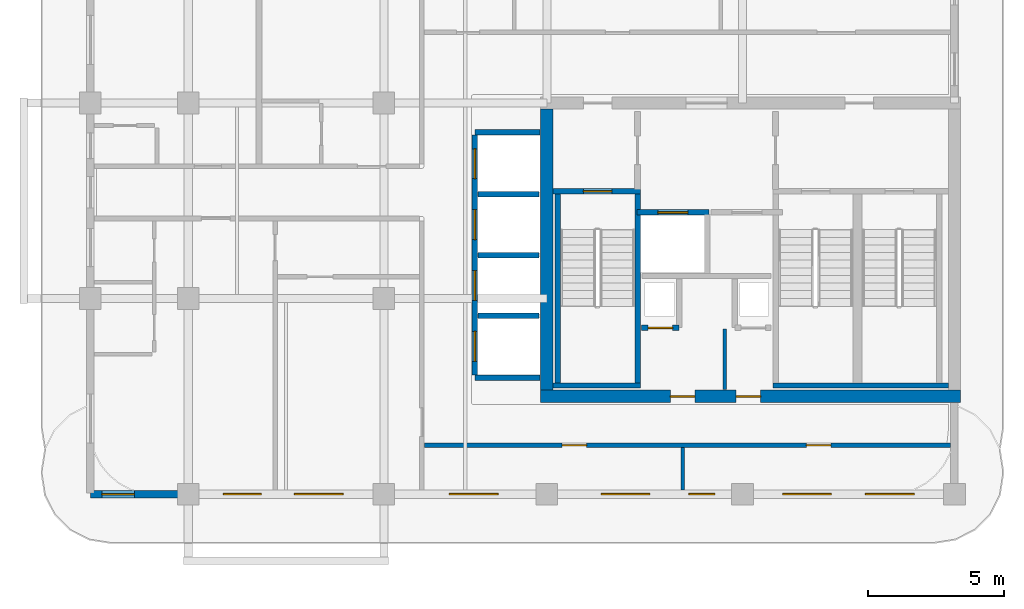
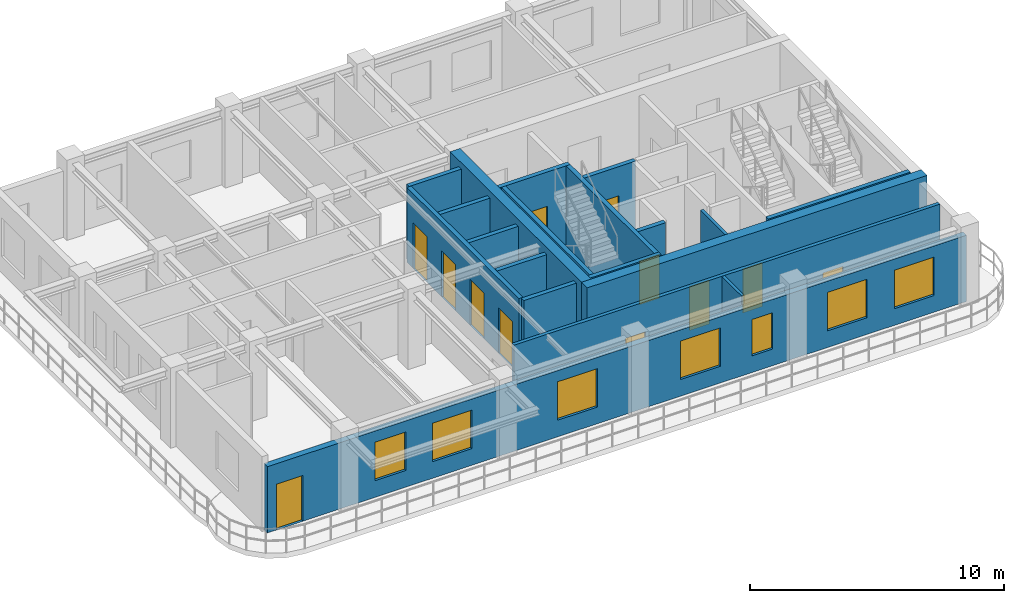
# One storey, part 3 of 7: 19 walls, 12 doors, 7 windows, 19 openings.
"""IFC4 building model written with IfcOpenShell, lengths in metres."""

from ifc_helpers import new_model, si_unit, derived_unit, direction, frame, frame_2d, origin, place, context, subcontext, project, spatial, rectangle, extrude, source, transform, mapped, material, layer, layer_set, type_object, type_shapes, element, fill, save


model = new_model("IFC4")

# Units and contexts
model_context = context("Model", 3, precision=1e-05, world=origin(), true_north=direction((0.0, 1.0)))
body_context = subcontext(model_context, "Body", "Model", "MODEL_VIEW")
ifc_project = project(units=[si_unit("LENGTHUNIT", "METRE"), si_unit("AREAUNIT", "SQUARE_METRE"), si_unit("VOLUMEUNIT", "CUBIC_METRE"), si_unit("PLANEANGLEUNIT", "RADIAN"), si_unit("MASSUNIT", "GRAM", prefix="KILO"), si_unit("THERMODYNAMICTEMPERATUREUNIT", "KELVIN"), si_unit("POWERUNIT", "WATT"), derived_unit("THERMALTRANSMITTANCEUNIT", [(si_unit("POWERUNIT", "WATT"), 1), (si_unit("AREAUNIT", "SQUARE_METRE"), -1), (si_unit("THERMODYNAMICTEMPERATUREUNIT", "KELVIN"), -1)])], contexts=[model_context])

# Site, building, storey
site_placement = place(None, origin())
site = spatial("IfcSite", under=ifc_project, at=site_placement, CompositionType="ELEMENT")
building_placement = place(site_placement, origin())
building = spatial("IfcBuilding", under=site, at=building_placement, Name="Zahravan Archway Hotel and Residences", CompositionType="ELEMENT")
storey_placement = place(building_placement, frame((0.0, 0.0, 259.64990234375)))
storey = spatial("IfcBuildingStorey", under=building, at=storey_placement, Name="L65", CompositionType="ELEMENT", Elevation=259.64990234375)

# Wall, openings, doors
ifc_material_1 = material(Name="Concrete C50/60", Category="concrete")
ifc_layer_1 = layer(ifc_material_1, 0.449951171875, Name="Concrete C50/60", Category="concrete")
ifc_layer_set_1 = layer_set([ifc_layer_1], Name="Concrete C50/60")
wall_type_1 = type_object("IfcWallType", Name="CW-CORE-450", PredefinedType="SHEAR", material=ifc_layer_set_1)
wall_1_placement = place(storey_placement, frame((34.574951171875, 3.60009765625, 0.0), z_axis=(0.0, 0.0, 1.0), x_axis=(1.0, 0.0, 0.0)))
wall_1 = element("IfcWall", 1, at=wall_1_placement, inside=storey, type_object=wall_type_1, Name="L65 Core A Shear S Wall 450 mm", PredefinedType="SHEAR", context=body_context, shape_type="SweptSolid", body=[
    extrude(rectangle(XDim=15.449951171875, YDim=0.449951171875, at=frame_2d((7.72509765625, 0.0))), origin(), (0.0, 0.0, 1.0), 3.85009765625),
])
opening_1_placement = place(wall_1_placement, frame((4.77490234375, 0.0, 0.0)))
opening_1 = element("IfcOpeningElement", 2, at=opening_1_placement, cuts=wall_1, Name="Opening FD-R1", PredefinedType="OPENING", context=body_context, shape_type="SweptSolid", body=[
    extrude(rectangle(XDim=0.89990234375, YDim=2.10009765625, at=frame_2d((0.449951171875, 1.050048828125))), frame((0.0, 0.23486328125, 0.0), z_axis=(0.0, -1.0, 0.0), x_axis=(1.0, 0.0, 0.0)), (0.0, 0.0, 1.0), 0.469970703125),
])
opening_2_placement = place(wall_1_placement, frame((7.195068359375, 0.0, 0.0)))
opening_2 = element("IfcOpeningElement", 3, at=opening_2_placement, cuts=wall_1, Name="Opening FD-R1", PredefinedType="OPENING", context=body_context, shape_type="SweptSolid", body=[
    extrude(rectangle(XDim=0.89990234375, YDim=2.10009765625, at=frame_2d((0.449951171875, 1.050048828125))), frame((0.0, 0.23486328125, 0.0), z_axis=(0.0, -1.0, 0.0), x_axis=(1.0, 0.0, 0.0)), (0.0, 0.0, 1.0), 0.469970703125),
])
ifc_material_2 = material(Name="Fire-Rated Painted Steel", Category="steel")
door_type_1 = type_object("IfcDoorType", Name="FD-RISER-900", OperationType="NOTDEFINED", PredefinedType="DOOR", material=ifc_material_2)
shared_shape_1 = source(origin(), body_context, "Body", "SweptSolid", [
    extrude(rectangle(XDim=0.89990234375, YDim=2.10009765625, at=frame_2d((0.449951171875, 1.050048828125))), frame((0.0, 0.02490234375, 0.0), z_axis=(0.0, -1.0, 0.0), x_axis=(1.0, 0.0, 0.0)), (0.0, 0.0, 1.0), 0.050048828125),
])
type_shapes(door_type_1, [shared_shape_1])
door_1_placement = place(opening_1_placement, origin())
door_1 = element("IfcDoor", 4, at=door_1_placement, inside=storey, type_object=door_type_1, Name="L65 Service Pantry Door", OperationType="SINGLE_SWING_LEFT", OverallHeight=2.10009765625, OverallWidth=0.89990234375, PredefinedType="DOOR", context=body_context, shape_type="MappedRepresentation", body=[
    mapped(shared_shape_1, transform((0.0, 0.0, 0.0), scale=1.0)),
])
fill(opening_1, door_1)
door_2_placement = place(opening_2_placement, origin())
door_2 = element("IfcDoor", 5, at=door_2_placement, inside=storey, type_object=door_type_1, Name="L65 Fibre ELV Riser Door", OperationType="SINGLE_SWING_RIGHT", OverallHeight=2.10009765625, OverallWidth=0.89990234375, PredefinedType="DOOR", context=body_context, shape_type="MappedRepresentation", body=[
    mapped(shared_shape_1, transform((0.0, 0.0, 0.0), scale=1.0)),
])
fill(opening_2, door_2)

# Wall
wall_2_placement = place(storey_placement, frame((34.800048828125, 3.824951171875, 0.0), z_axis=(0.0, 0.0, 1.0), x_axis=(0.0, 1.0, 0.0)))
element("IfcWall", 6, at=wall_2_placement, inside=storey, type_object=wall_type_1, Name="L65 Core A Shear W Wall 450 mm", PredefinedType="SHEAR", context=body_context, shape_type="SweptSolid", body=[
    extrude(rectangle(XDim=10.35009765625, YDim=0.449951171875, at=frame_2d((5.175048828125, 0.0))), origin(), (0.0, 0.0, 1.0), 3.85009765625),
])

# Wall, openings, door, windows
ifc_material_3 = material(Name="Honed Red-Ochre Sandstone & Insulated Block", Category="masonry")
ifc_layer_2 = layer(ifc_material_3, 0.280029296875, Name="Honed Red-Ochre Sandstone & Insulated Block", Category="masonry")
ifc_layer_set_2 = layer_set([ifc_layer_2], Name="Honed Red-Ochre Sandstone & Insulated Block")
wall_type_2 = type_object("IfcWallType", Name="EW-LOG-280", PredefinedType="SOLIDWALL", material=ifc_layer_set_2)
wall_3_placement = place(storey_placement, frame((18.0, 0.0, 0.0), z_axis=(0.0, 0.0, 1.0), x_axis=(1.0, 0.0, 0.0)))
wall_3 = element("IfcWall", 7, at=wall_3_placement, inside=storey, type_object=wall_type_2, Name="L65 Exterior Sandstone Wall WA-S", PredefinedType="SOLIDWALL", context=body_context, shape_type="SweptSolid", body=[
    extrude(rectangle(XDim=31.800048828125, YDim=0.280029296875, at=frame_2d((15.89990234375, 0.0))), origin(), (0.0, 0.0, 1.0), 3.18505859375),
])
opening_3_placement = place(wall_3_placement, frame((0.419921875, 0.0, 0.0)))
opening_3 = element("IfcOpeningElement", 8, at=opening_3_placement, cuts=wall_3, Name="Opening ED-BL1", PredefinedType="OPENING", context=body_context, shape_type="SweptSolid", body=[
    extrude(rectangle(XDim=1.199951171875, YDim=2.199951171875, at=frame_2d((0.60009765625, 1.10009765625))), frame((0.0, 0.14990234375, 0.0), z_axis=(0.0, -1.0, 0.0), x_axis=(1.0, 0.0, 0.0)), (0.0, 0.0, 1.0), 0.300048828125),
])
opening_4_placement = place(wall_3_placement, frame((4.89599609375, 0.0, 0.800048828125)))
opening_4 = element("IfcOpeningElement", 9, at=opening_4_placement, cuts=wall_3, Name="Opening W-03", PredefinedType="OPENING", context=body_context, shape_type="SweptSolid", body=[
    extrude(rectangle(XDim=1.39990234375, YDim=1.85009765625, at=frame_2d((0.699951171875, 0.925048828125))), frame((0.0, 0.14990234375, 0.0), z_axis=(0.0, -1.0, 0.0), x_axis=(1.0, 0.0, 0.0)), (0.0, 0.0, 1.0), 0.300048828125),
])
opening_5_placement = place(wall_3_placement, frame((7.50390625, 0.0, 0.800048828125)))
opening_5 = element("IfcOpeningElement", 10, at=opening_5_placement, cuts=wall_3, Name="Opening W-02", PredefinedType="OPENING", context=body_context, shape_type="SweptSolid", body=[
    extrude(rectangle(XDim=1.800048828125, YDim=1.85009765625, at=frame_2d((0.89990234375, 0.925048828125))), frame((0.0, 0.14990234375, 0.0), z_axis=(0.0, -1.0, 0.0), x_axis=(1.0, 0.0, 0.0)), (0.0, 0.0, 1.0), 0.300048828125),
])
opening_6_placement = place(wall_3_placement, frame((13.2041015625, 0.0, 0.800048828125)))
opening_6 = element("IfcOpeningElement", 11, at=opening_6_placement, cuts=wall_3, Name="Opening W-02", PredefinedType="OPENING", context=body_context, shape_type="SweptSolid", body=[
    extrude(rectangle(XDim=1.800048828125, YDim=1.85009765625, at=frame_2d((0.89990234375, 0.925048828125))), frame((0.0, 0.14990234375, 0.0), z_axis=(0.0, -1.0, 0.0), x_axis=(1.0, 0.0, 0.0)), (0.0, 0.0, 1.0), 0.300048828125),
])
opening_7_placement = place(wall_3_placement, frame((18.7958984375, 0.0, 0.800048828125)))
opening_7 = element("IfcOpeningElement", 12, at=opening_7_placement, cuts=wall_3, Name="Opening W-02", PredefinedType="OPENING", context=body_context, shape_type="SweptSolid", body=[
    extrude(rectangle(XDim=1.800048828125, YDim=1.85009765625, at=frame_2d((0.89990234375, 0.925048828125))), frame((0.0, 0.14990234375, 0.0), z_axis=(0.0, -1.0, 0.0), x_axis=(1.0, 0.0, 0.0)), (0.0, 0.0, 1.0), 0.300048828125),
])
opening_8_placement = place(wall_3_placement, frame((22.029052734375, 0.0, 0.800048828125)))
opening_8 = element("IfcOpeningElement", 13, at=opening_8_placement, cuts=wall_3, Name="Opening W-04", PredefinedType="OPENING", context=body_context, shape_type="SweptSolid", body=[
    extrude(rectangle(XDim=0.949951171875, YDim=1.75, at=frame_2d((0.47509765625, 0.875))), frame((0.0, 0.14990234375, 0.0), z_axis=(0.0, -1.0, 0.0), x_axis=(1.0, 0.0, 0.0)), (0.0, 0.0, 1.0), 0.300048828125),
])
opening_9_placement = place(wall_3_placement, frame((25.47509765625, 0.0, 0.800048828125)))
opening_9 = element("IfcOpeningElement", 14, at=opening_9_placement, cuts=wall_3, Name="Opening W-02", PredefinedType="OPENING", context=body_context, shape_type="SweptSolid", body=[
    extrude(rectangle(XDim=1.800048828125, YDim=1.85009765625, at=frame_2d((0.89990234375, 0.925048828125))), frame((0.0, 0.14990234375, 0.0), z_axis=(0.0, -1.0, 0.0), x_axis=(1.0, 0.0, 0.0)), (0.0, 0.0, 1.0), 0.300048828125),
])
opening_10_placement = place(wall_3_placement, frame((28.52490234375, 0.0, 0.800048828125)))
opening_10 = element("IfcOpeningElement", 15, at=opening_10_placement, cuts=wall_3, Name="Opening W-02", PredefinedType="OPENING", context=body_context, shape_type="SweptSolid", body=[
    extrude(rectangle(XDim=1.800048828125, YDim=1.85009765625, at=frame_2d((0.89990234375, 0.925048828125))), frame((0.0, 0.14990234375, 0.0), z_axis=(0.0, -1.0, 0.0), x_axis=(1.0, 0.0, 0.0)), (0.0, 0.0, 1.0), 0.300048828125),
])
ifc_material_4 = material(Name="Bronze-Anodized Glazed Aluminium", Category="aluminium")
door_type_2 = type_object("IfcDoorType", Name="ED-BALC-1200", OperationType="SLIDING_TO_LEFT", PredefinedType="DOOR", material=ifc_material_4)
shared_shape_2 = source(origin(), body_context, "Body", "SweptSolid", [
    extrude(rectangle(XDim=1.199951171875, YDim=2.199951171875, at=frame_2d((0.60009765625, 1.10009765625))), frame((0.0, 0.02490234375, 0.0), z_axis=(0.0, -1.0, 0.0), x_axis=(1.0, 0.0, 0.0)), (0.0, 0.0, 1.0), 0.050048828125),
])
type_shapes(door_type_2, [shared_shape_2])
door_3_placement = place(opening_3_placement, origin())
door_3 = element("IfcDoor", 16, at=door_3_placement, inside=storey, type_object=door_type_2, Name="L65 Outdoor Access Sliding Door (SLB-BAL-L65-SA)", OperationType="SLIDING_TO_LEFT", OverallHeight=2.199951171875, OverallWidth=1.199951171875, PredefinedType="DOOR", context=body_context, shape_type="MappedRepresentation", body=[
    mapped(shared_shape_2, transform((0.0, 0.0, 0.0), scale=1.0)),
])
fill(opening_3, door_3)
ifc_material_5 = material(Name="Bronze-Anodized Thermal-Break Aluminium & Low-E Glass", Category="aluminium")
window_type_1 = type_object("IfcWindowType", Name="WIN-TWR-1400", PartitioningType="SINGLE_PANEL", PredefinedType="WINDOW", material=ifc_material_5)
shared_shape_3 = source(origin(), body_context, "Body", "SweptSolid", [
    extrude(rectangle(XDim=1.39990234375, YDim=1.85009765625, at=frame_2d((0.699951171875, 0.925048828125))), frame((0.0, 0.030029296875, 0.0), z_axis=(0.0, -1.0, 0.0), x_axis=(1.0, 0.0, 0.0)), (0.0, 0.0, 1.0), 0.06005859375),
])
type_shapes(window_type_1, [shared_shape_3])
window_1_placement = place(opening_4_placement, origin())
window_1 = element("IfcWindow", 17, at=window_1_placement, inside=storey, type_object=window_type_1, Name="L65 Loggia Window 01", OverallHeight=1.85009765625, OverallWidth=1.39990234375, PartitioningType="SINGLE_PANEL", PredefinedType="WINDOW", context=body_context, shape_type="MappedRepresentation", body=[
    mapped(shared_shape_3, transform((0.0, 0.0, 0.0), scale=1.0)),
])
fill(opening_4, window_1)
window_type_2 = type_object("IfcWindowType", Name="WIN-NAR-950", PartitioningType="SINGLE_PANEL", PredefinedType="WINDOW", material=ifc_material_5)
shared_shape_4 = source(origin(), body_context, "Body", "SweptSolid", [
    extrude(rectangle(XDim=0.949951171875, YDim=1.75, at=frame_2d((0.47509765625, 0.875))), frame((0.0, 0.030029296875, 0.0), z_axis=(0.0, -1.0, 0.0), x_axis=(1.0, 0.0, 0.0)), (0.0, 0.0, 1.0), 0.06005859375),
])
type_shapes(window_type_2, [shared_shape_4])
window_2_placement = place(opening_8_placement, origin())
window_2 = element("IfcWindow", 18, at=window_2_placement, inside=storey, type_object=window_type_2, Name="L65 Loggia Window 05", OverallHeight=1.75, OverallWidth=0.949951171875, PartitioningType="SINGLE_PANEL", PredefinedType="WINDOW", context=body_context, shape_type="MappedRepresentation", body=[
    mapped(shared_shape_4, transform((0.0, 0.0, 0.0), scale=1.0)),
])
fill(opening_8, window_2)
window_type_3 = type_object("IfcWindowType", Name="WIN-TWR-1800", PartitioningType="DOUBLE_PANEL_VERTICAL", PredefinedType="WINDOW", material=ifc_material_5)
shared_shape_5 = source(origin(), body_context, "Body", "SweptSolid", [
    extrude(rectangle(XDim=1.800048828125, YDim=1.85009765625, at=frame_2d((0.89990234375, 0.925048828125))), frame((0.0, 0.030029296875, 0.0), z_axis=(0.0, -1.0, 0.0), x_axis=(1.0, 0.0, 0.0)), (0.0, 0.0, 1.0), 0.06005859375),
])
type_shapes(window_type_3, [shared_shape_5])
window_3_placement = place(opening_5_placement, origin())
window_3 = element("IfcWindow", 19, at=window_3_placement, inside=storey, type_object=window_type_3, Name="L65 Loggia Window 02", OverallHeight=1.85009765625, OverallWidth=1.800048828125, PartitioningType="DOUBLE_PANEL_VERTICAL", PredefinedType="WINDOW", context=body_context, shape_type="MappedRepresentation", body=[
    mapped(shared_shape_5, transform((0.0, 0.0, 0.0), scale=1.0)),
])
fill(opening_5, window_3)
window_4_placement = place(opening_6_placement, origin())
window_4 = element("IfcWindow", 20, at=window_4_placement, inside=storey, type_object=window_type_3, Name="L65 Loggia Window 03", OverallHeight=1.85009765625, OverallWidth=1.800048828125, PartitioningType="DOUBLE_PANEL_VERTICAL", PredefinedType="WINDOW", context=body_context, shape_type="MappedRepresentation", body=[
    mapped(shared_shape_5, transform((0.0, 0.0, 0.0), scale=1.0)),
])
fill(opening_6, window_4)
window_5_placement = place(opening_7_placement, origin())
window_5 = element("IfcWindow", 21, at=window_5_placement, inside=storey, type_object=window_type_3, Name="L65 Loggia Window 04", OverallHeight=1.85009765625, OverallWidth=1.800048828125, PartitioningType="DOUBLE_PANEL_VERTICAL", PredefinedType="WINDOW", context=body_context, shape_type="MappedRepresentation", body=[
    mapped(shared_shape_5, transform((0.0, 0.0, 0.0), scale=1.0)),
])
fill(opening_7, window_5)
window_6_placement = place(opening_9_placement, origin())
window_6 = element("IfcWindow", 22, at=window_6_placement, inside=storey, type_object=window_type_3, Name="L65 Loggia Window 06", OverallHeight=1.85009765625, OverallWidth=1.800048828125, PartitioningType="DOUBLE_PANEL_VERTICAL", PredefinedType="WINDOW", context=body_context, shape_type="MappedRepresentation", body=[
    mapped(shared_shape_5, transform((0.0, 0.0, 0.0), scale=1.0)),
])
fill(opening_9, window_6)
window_7_placement = place(opening_10_placement, origin())
window_7 = element("IfcWindow", 23, at=window_7_placement, inside=storey, type_object=window_type_3, Name="L65 Loggia Window 07", OverallHeight=1.85009765625, OverallWidth=1.800048828125, PartitioningType="DOUBLE_PANEL_VERTICAL", PredefinedType="WINDOW", context=body_context, shape_type="MappedRepresentation", body=[
    mapped(shared_shape_5, transform((0.0, 0.0, 0.0), scale=1.0)),
])
fill(opening_10, window_7)

# Wall, openings, doors
ifc_material_6 = material(Name="Fire-Rated Gypsum & Concrete Block", Category="concrete")
ifc_layer_3 = layer(ifc_material_6, 0.159912109375, Name="Fire-Rated Gypsum & Concrete Block", Category="concrete")
ifc_layer_set_3 = layer_set([ifc_layer_3], Name="Fire-Rated Gypsum & Concrete Block")
wall_type_3 = type_object("IfcWallType", Name="PW-CORR-160", PredefinedType="PARTITIONING", material=ifc_layer_set_3)
wall_4_placement = place(storey_placement, frame((30.2900390625, 1.800048828125, 0.0), z_axis=(0.0, 0.0, 1.0), x_axis=(1.0, 0.0, 0.0)))
wall_4 = element("IfcWall", 24, at=wall_4_placement, inside=storey, type_object=wall_type_3, Name="L65 Partition WA-SRS", PredefinedType="PARTITIONING", context=body_context, shape_type="SweptSolid", body=[
    extrude(rectangle(XDim=19.369873046875, YDim=0.159912109375, at=frame_2d((9.68505859375, 0.0))), origin(), (0.0, 0.0, 1.0), 3.60009765625),
])
opening_11_placement = place(wall_4_placement, frame((5.07421875, 0.0, 0.0)))
opening_11 = element("IfcOpeningElement", 25, at=opening_11_placement, cuts=wall_4, Name="Opening D-I2", PredefinedType="OPENING", context=body_context, shape_type="SweptSolid", body=[
    extrude(rectangle(XDim=0.89990234375, YDim=2.14990234375, at=frame_2d((0.449951171875, 1.074951171875))), frame((0.0, 0.08984375, 0.0), z_axis=(0.0, -1.0, 0.0), x_axis=(1.0, 0.0, 0.0)), (0.0, 0.0, 1.0), 0.179931640625),
])
opening_12_placement = place(wall_4_placement, frame((14.06005859375, 0.0, 0.0)))
opening_12 = element("IfcOpeningElement", 26, at=opening_12_placement, cuts=wall_4, Name="Opening D-I2", PredefinedType="OPENING", context=body_context, shape_type="SweptSolid", body=[
    extrude(rectangle(XDim=0.89990234375, YDim=2.14990234375, at=frame_2d((0.449951171875, 1.074951171875))), frame((0.0, 0.08984375, 0.0), z_axis=(0.0, -1.0, 0.0), x_axis=(1.0, 0.0, 0.0)), (0.0, 0.0, 1.0), 0.179931640625),
])
ifc_material_7 = material(Name="Hardwood Veneer Timber", Category="wood")
door_type_3 = type_object("IfcDoorType", Name="ID-INT-900", OperationType="NOTDEFINED", PredefinedType="DOOR", material=ifc_material_7)
shared_shape_6 = source(origin(), body_context, "Body", "SweptSolid", [
    extrude(rectangle(XDim=0.89990234375, YDim=2.14990234375, at=frame_2d((0.449951171875, 1.074951171875))), frame((0.0, 0.02490234375, 0.0), z_axis=(0.0, -1.0, 0.0), x_axis=(1.0, 0.0, 0.0)), (0.0, 0.0, 1.0), 0.050048828125),
])
type_shapes(door_type_3, [shared_shape_6])
door_4_placement = place(opening_11_placement, origin())
door_4 = element("IfcDoor", 27, at=door_4_placement, inside=storey, type_object=door_type_3, Name="L65 South Study Door", OperationType="SINGLE_SWING_RIGHT", OverallHeight=2.14990234375, OverallWidth=0.89990234375, PredefinedType="DOOR", context=body_context, shape_type="MappedRepresentation", body=[
    mapped(shared_shape_6, transform((0.0, 0.0, 0.0), scale=1.0)),
])
fill(opening_11, door_4)
door_5_placement = place(opening_12_placement, origin())
door_5 = element("IfcDoor", 28, at=door_5_placement, inside=storey, type_object=door_type_3, Name="L65 South Pantry Door", OperationType="SINGLE_SWING_LEFT", OverallHeight=2.14990234375, OverallWidth=0.89990234375, PredefinedType="DOOR", context=body_context, shape_type="MappedRepresentation", body=[
    mapped(shared_shape_6, transform((0.0, 0.0, 0.0), scale=1.0)),
])
fill(opening_12, door_5)

# Wall
ifc_material_8 = material(Name="Acoustic Stud Partition")
ifc_layer_4 = layer(ifc_material_8, 0.125, Name="Acoustic Stud Partition")
ifc_layer_set_4 = layer_set([ifc_layer_4], Name="Acoustic Stud Partition")
wall_type_4 = type_object("IfcWallType", Name="PW-INT-125", PredefinedType="PARTITIONING", material=ifc_layer_set_4)
wall_5_placement = place(storey_placement, frame((39.800048828125, 0.14794921875, 0.0), z_axis=(0.0, 0.0, 1.0), x_axis=(0.0, 1.0, 0.0)))
element("IfcWall", 29, at=wall_5_placement, inside=storey, type_object=wall_type_4, Name="L65 Partition S-DIV1", PredefinedType="PARTITIONING", context=body_context, shape_type="SweptSolid", body=[
    extrude(rectangle(XDim=1.56201171875, YDim=0.125, at=frame_2d((0.781005859375, 0.0))), origin(), (0.0, 0.0, 1.0), 3.60009765625),
])

# Wall, opening, door
ifc_layer_5 = layer(ifc_material_6, 0.199951171875, Name="Fire-Rated Gypsum & Concrete Block", Category="concrete")
ifc_layer_set_5 = layer_set([ifc_layer_5], Name="Fire-Rated Gypsum & Concrete Block")
wall_type_5 = type_object("IfcWallType", Name="PW-SHAFT-200", PredefinedType="PARTITIONING", material=ifc_layer_set_5)
wall_6_placement = place(storey_placement, frame((38.2900390625, 6.1201171875, 0.0), z_axis=(0.0, 0.0, 1.0), x_axis=(1.0, 0.0, 0.0)))
wall_6 = element("IfcWall", 30, at=wall_6_placement, inside=storey, type_object=wall_type_5, Name="L65 Partition CA-SMKS", PredefinedType="PARTITIONING", context=body_context, shape_type="SweptSolid", body=[
    extrude(rectangle(XDim=1.3798828125, YDim=0.199951171875, at=frame_2d((0.68994140625, 0.0))), origin(), (0.0, 0.0, 1.0), 3.60009765625),
])
opening_13_placement = place(wall_6_placement, frame((0.239990234375, 0.0, 0.0)))
opening_13 = element("IfcOpeningElement", 31, at=opening_13_placement, cuts=wall_6, Name="Opening FD-R1", PredefinedType="OPENING", context=body_context, shape_type="SweptSolid", body=[
    extrude(rectangle(XDim=0.89990234375, YDim=2.10009765625, at=frame_2d((0.449951171875, 1.050048828125))), frame((0.0, 0.10986328125, 0.0), z_axis=(0.0, -1.0, 0.0), x_axis=(1.0, 0.0, 0.0)), (0.0, 0.0, 1.0), 0.219970703125),
])
door_6_placement = place(opening_13_placement, origin())
door_6 = element("IfcDoor", 32, at=door_6_placement, inside=storey, type_object=door_type_1, Name="L65 Smoke Riser Access Door", OperationType="SINGLE_SWING_LEFT", OverallHeight=2.10009765625, OverallWidth=0.89990234375, PredefinedType="DOOR", context=body_context, shape_type="MappedRepresentation", body=[
    mapped(shared_shape_1, transform((0.0, 0.0, 0.0), scale=1.0)),
])
fill(opening_13, door_6)

# Walls
for number, where, z_axis, x_axis, name in (
    (33, (32.159912109375, 4.280029296875, 0.0), (0.0, 0.0, 1.0), (1.0, 0.0, 0.0), "L65 Partition B3-S"),
    (34, (32.159912109375, 13.320068359375, 0.0), (0.0, 0.0, 1.0), (1.0, 0.0, 0.0), "L65 Partition B3-N"),
):
    element("IfcWall", number, at=place(storey_placement, frame(where, z_axis=z_axis, x_axis=x_axis)), inside=storey, type_object=wall_type_5, Name=name, PredefinedType="PARTITIONING", context=body_context, shape_type="SweptSolid", body=[
        extrude(rectangle(XDim=2.385009765625, YDim=0.199951171875, at=frame_2d((1.1923828125, 0.0))), origin(), (0.0, 0.0, 1.0), 3.60009765625),
    ])

# Wall, openings, doors
wall_7_placement = place(storey_placement, frame((32.14990234375, 4.389892578125, 0.0), z_axis=(0.0, 0.0, 1.0), x_axis=(0.0, 1.0, 0.0)))
wall_7 = element("IfcWall", 35, at=wall_7_placement, inside=storey, type_object=wall_type_5, Name="L65 Partition B3-W", PredefinedType="PARTITIONING", context=body_context, shape_type="SweptSolid", body=[
    extrude(rectangle(XDim=8.820068359375, YDim=0.199951171875, at=frame_2d((4.41015625, 0.0))), origin(), (0.0, 0.0, 1.0), 3.60009765625),
])
opening_14_placement = place(wall_7_placement, frame((0.5, 0.0, 0.0)))
opening_14 = element("IfcOpeningElement", 36, at=opening_14_placement, cuts=wall_7, Name="Opening LD", PredefinedType="OPENING", context=body_context, shape_type="SweptSolid", body=[
    extrude(rectangle(XDim=1.10009765625, YDim=2.199951171875, at=frame_2d((0.550048828125, 1.10009765625))), frame((0.0, 0.10986328125, 0.0), z_axis=(0.0, -1.0, 0.0), x_axis=(1.0, 0.0, 0.0)), (0.0, 0.0, 1.0), 0.219970703125),
])
opening_15_placement = place(wall_7_placement, frame((2.739990234375, 0.0, 0.0)))
opening_15 = element("IfcOpeningElement", 37, at=opening_15_placement, cuts=wall_7, Name="Opening LD", PredefinedType="OPENING", context=body_context, shape_type="SweptSolid", body=[
    extrude(rectangle(XDim=1.10009765625, YDim=2.199951171875, at=frame_2d((0.550048828125, 1.10009765625))), frame((0.0, 0.10986328125, 0.0), z_axis=(0.0, -1.0, 0.0), x_axis=(1.0, 0.0, 0.0)), (0.0, 0.0, 1.0), 0.219970703125),
])
opening_16_placement = place(wall_7_placement, frame((4.97998046875, 0.0, 0.0)))
opening_16 = element("IfcOpeningElement", 38, at=opening_16_placement, cuts=wall_7, Name="Opening LD", PredefinedType="OPENING", context=body_context, shape_type="SweptSolid", body=[
    extrude(rectangle(XDim=1.10009765625, YDim=2.199951171875, at=frame_2d((0.550048828125, 1.10009765625))), frame((0.0, 0.10986328125, 0.0), z_axis=(0.0, -1.0, 0.0), x_axis=(1.0, 0.0, 0.0)), (0.0, 0.0, 1.0), 0.219970703125),
])
opening_17_placement = place(wall_7_placement, frame((7.219970703125, 0.0, 0.0)))
opening_17 = element("IfcOpeningElement", 39, at=opening_17_placement, cuts=wall_7, Name="Opening LD", PredefinedType="OPENING", context=body_context, shape_type="SweptSolid", body=[
    extrude(rectangle(XDim=1.10009765625, YDim=2.199951171875, at=frame_2d((0.550048828125, 1.10009765625))), frame((0.0, 0.10986328125, 0.0), z_axis=(0.0, -1.0, 0.0), x_axis=(1.0, 0.0, 0.0)), (0.0, 0.0, 1.0), 0.219970703125),
])
ifc_material_9 = material(Name="Brushed Stainless Steel", Category="steel")
door_type_4 = type_object("IfcDoorType", Name="DR-LIFT-LD", OperationType="SLIDING_TO_LEFT", PredefinedType="DOOR", material=ifc_material_9)
shared_shape_7 = source(origin(), body_context, "Body", "SweptSolid", [
    extrude(rectangle(XDim=1.10009765625, YDim=2.199951171875, at=frame_2d((0.550048828125, 1.10009765625))), frame((0.0, 0.02490234375, 0.0), z_axis=(0.0, -1.0, 0.0), x_axis=(1.0, 0.0, 0.0)), (0.0, 0.0, 1.0), 0.050048828125),
])
type_shapes(door_type_4, [shared_shape_7])
door_7_placement = place(opening_14_placement, origin())
door_7 = element("IfcDoor", 40, at=door_7_placement, inside=storey, type_object=door_type_4, Name="L65 Lift LP-7 Sliding Landing Door", OperationType="SLIDING_TO_LEFT", OverallHeight=2.199951171875, OverallWidth=1.10009765625, PredefinedType="DOOR", context=body_context, shape_type="MappedRepresentation", body=[
    mapped(shared_shape_7, transform((0.0, 0.0, 0.0), scale=1.0)),
])
fill(opening_14, door_7)
door_8_placement = place(opening_15_placement, origin())
door_8 = element("IfcDoor", 41, at=door_8_placement, inside=storey, type_object=door_type_4, Name="L65 Lift LP-8 Sliding Landing Door", OperationType="SLIDING_TO_LEFT", OverallHeight=2.199951171875, OverallWidth=1.10009765625, PredefinedType="DOOR", context=body_context, shape_type="MappedRepresentation", body=[
    mapped(shared_shape_7, transform((0.0, 0.0, 0.0), scale=1.0)),
])
fill(opening_15, door_8)
door_9_placement = place(opening_16_placement, origin())
door_9 = element("IfcDoor", 42, at=door_9_placement, inside=storey, type_object=door_type_4, Name="L65 Lift LP-9 Sliding Landing Door", OperationType="SLIDING_TO_LEFT", OverallHeight=2.199951171875, OverallWidth=1.10009765625, PredefinedType="DOOR", context=body_context, shape_type="MappedRepresentation", body=[
    mapped(shared_shape_7, transform((0.0, 0.0, 0.0), scale=1.0)),
])
fill(opening_16, door_9)
door_10_placement = place(opening_17_placement, origin())
door_10 = element("IfcDoor", 43, at=door_10_placement, inside=storey, type_object=door_type_4, Name="L65 Lift LP-10 Sliding Landing Door", OperationType="SLIDING_TO_LEFT", OverallHeight=2.199951171875, OverallWidth=1.10009765625, PredefinedType="DOOR", context=body_context, shape_type="MappedRepresentation", body=[
    mapped(shared_shape_7, transform((0.0, 0.0, 0.0), scale=1.0)),
])
fill(opening_17, door_10)

# Walls
for number, where, z_axis, x_axis, name in (
    (44, (32.260009765625, 6.56005859375, 0.0), (0.0, 0.0, 1.0), (1.0, 0.0, 0.0), "L65 Partition B3-D"),
    (45, (32.260009765625, 8.800048828125, 0.0), (0.0, 0.0, 1.0), (1.0, 0.0, 0.0), "L65 Partition B3-D"),
    (46, (32.260009765625, 11.0400390625, 0.0), (0.0, 0.0, 1.0), (1.0, 0.0, 0.0), "L65 Partition B3-D"),
):
    element("IfcWall", number, at=place(storey_placement, frame(where, z_axis=z_axis, x_axis=x_axis)), inside=storey, type_object=wall_type_5, Name=name, PredefinedType="PARTITIONING", context=body_context, shape_type="SweptSolid", body=[
        extrude(rectangle(XDim=2.2548828125, YDim=0.199951171875, at=frame_2d((1.12744140625, 0.0))), origin(), (0.0, 0.0, 1.0), 3.60009765625),
    ])

# Wall, opening, door
wall_8_placement = place(storey_placement, frame((38.1201171875, 10.3701171875, 0.0), z_axis=(0.0, 0.0, 1.0), x_axis=(1.0, 0.0, 0.0)))
wall_8 = element("IfcWall", 47, at=wall_8_placement, inside=storey, type_object=wall_type_5, Name="L65 Lift FL-1 Front Wall", PredefinedType="PARTITIONING", context=body_context, shape_type="SweptSolid", body=[
    extrude(rectangle(XDim=2.639892578125, YDim=0.199951171875, at=frame_2d((1.31982421875, 0.0))), origin(), (0.0, 0.0, 1.0), 3.60009765625),
])
opening_18_placement = place(wall_8_placement, frame((0.77001953125, 0.0, 0.0)))
opening_18 = element("IfcOpeningElement", 48, at=opening_18_placement, cuts=wall_8, Name="Opening LD", PredefinedType="OPENING", context=body_context, shape_type="SweptSolid", body=[
    extrude(rectangle(XDim=1.10009765625, YDim=2.199951171875, at=frame_2d((0.550048828125, 1.10009765625))), frame((0.0, 0.10986328125, 0.0), z_axis=(0.0, -1.0, 0.0), x_axis=(1.0, 0.0, 0.0)), (0.0, 0.0, 1.0), 0.219970703125),
])
door_11_placement = place(opening_18_placement, origin())
door_11 = element("IfcDoor", 49, at=door_11_placement, inside=storey, type_object=door_type_4, Name="L65 Lift FL-1 Sliding Landing Door", OperationType="SLIDING_TO_LEFT", OverallHeight=2.199951171875, OverallWidth=1.10009765625, PredefinedType="DOOR", context=body_context, shape_type="MappedRepresentation", body=[
    mapped(shared_shape_7, transform((0.0, 0.0, 0.0), scale=1.0)),
])
fill(opening_18, door_11)

# Walls
ifc_material_10 = material(Name="Moisture-Resistant Blockwork", Category="masonry")
ifc_layer_6 = layer(ifc_material_10, 0.139892578125, Name="Moisture-Resistant Blockwork", Category="masonry")
ifc_layer_set_6 = layer_set([ifc_layer_6], Name="Moisture-Resistant Blockwork")
wall_type_6 = type_object("IfcWallType", Name="PW-WET-140", PredefinedType="PARTITIONING", material=ifc_layer_set_6)
wall_9_placement = place(storey_placement, frame((41.35009765625, 3.844970703125, 0.0), z_axis=(0.0, 0.0, 1.0), x_axis=(0.0, 1.0, 0.0)))
element("IfcWall", 50, at=wall_9_placement, inside=storey, type_object=wall_type_6, Name="L65 Partition CA-CV3", PredefinedType="PARTITIONING", context=body_context, shape_type="SweptSolid", body=[
    extrude(rectangle(XDim=2.235107421875, YDim=0.139892578125, at=frame_2d((1.11767578125, 0.0))), origin(), (0.0, 0.0, 1.0), 3.60009765625),
])
ifc_layer_7 = layer(ifc_material_1, 0.199951171875, Name="Concrete C50/60", Category="concrete")
ifc_layer_set_7 = layer_set([ifc_layer_7], Name="Concrete C50/60")
wall_type_7 = type_object("IfcWallType", Name="SW-STAIR-200", PredefinedType="SHEAR", material=ifc_layer_set_7)
wall_10_placement = place(storey_placement, frame((35.02490234375, 4.0, 0.0), z_axis=(0.0, 0.0, 1.0), x_axis=(1.0, 0.0, 0.0)))
element("IfcWall", 51, at=wall_10_placement, inside=storey, type_object=wall_type_7, Name="L65 Stairwell RC Wall CA-SA1S", PredefinedType="SHEAR", context=body_context, shape_type="SweptSolid", body=[
    extrude(rectangle(XDim=3.215087890625, YDim=0.199951171875, at=frame_2d((1.607421875, 0.0))), origin(), (0.0, 0.0, 1.0), 3.85009765625),
])
for number, where, z_axis, x_axis, name in (
    (52, (35.199951171875, 4.10009765625, 0.0), (0.0, 0.0, 1.0), (0.0, 1.0, 0.0), "L65 Stairwell RC Wall CA-SA1W"),
    (53, (38.139892578125, 4.10009765625, 0.0), (0.0, 0.0, 1.0), (0.0, 1.0, 0.0), "L65 Stairwell RC Wall CA-SA1E"),
):
    element("IfcWall", number, at=place(storey_placement, frame(where, z_axis=z_axis, x_axis=x_axis)), inside=storey, type_object=wall_type_7, Name=name, PredefinedType="SHEAR", context=body_context, shape_type="SweptSolid", body=[
        extrude(rectangle(XDim=6.949951171875, YDim=0.199951171875, at=frame_2d((3.47509765625, 0.0))), origin(), (0.0, 0.0, 1.0), 3.85009765625),
    ])

# Wall, opening, door
wall_11_placement = place(storey_placement, frame((35.02490234375, 11.14990234375, 0.0), z_axis=(0.0, 0.0, 1.0), x_axis=(1.0, 0.0, 0.0)))
wall_11 = element("IfcWall", 54, at=wall_11_placement, inside=storey, type_object=wall_type_7, Name="L65 Stairwell RC Wall CA-SA1N", PredefinedType="SHEAR", context=body_context, shape_type="SweptSolid", body=[
    extrude(rectangle(XDim=3.215087890625, YDim=0.199951171875, at=frame_2d((1.607421875, 0.0))), origin(), (0.0, 0.0, 1.0), 3.85009765625),
])
opening_19_placement = place(wall_11_placement, frame((1.1201171875, 0.0, 0.0)))
opening_19 = element("IfcOpeningElement", 55, at=opening_19_placement, cuts=wall_11, Name="Opening FD-S1", PredefinedType="OPENING", context=body_context, shape_type="SweptSolid", body=[
    extrude(rectangle(XDim=1.050048828125, YDim=2.199951171875, at=frame_2d((0.52490234375, 1.10009765625))), frame((0.0, 0.10986328125, 0.0), z_axis=(0.0, -1.0, 0.0), x_axis=(1.0, 0.0, 0.0)), (0.0, 0.0, 1.0), 0.219970703125),
])
door_type_5 = type_object("IfcDoorType", Name="FD-STAIR-1100", OperationType="NOTDEFINED", PredefinedType="DOOR", material=ifc_material_2)
shared_shape_8 = source(origin(), body_context, "Body", "SweptSolid", [
    extrude(rectangle(XDim=1.050048828125, YDim=2.199951171875, at=frame_2d((0.52490234375, 1.10009765625))), frame((0.0, 0.02490234375, 0.0), z_axis=(0.0, -1.0, 0.0), x_axis=(1.0, 0.0, 0.0)), (0.0, 0.0, 1.0), 0.050048828125),
])
type_shapes(door_type_5, [shared_shape_8])
door_12_placement = place(opening_19_placement, origin())
door_12 = element("IfcDoor", 56, at=door_12_placement, inside=storey, type_object=door_type_5, Name="L65 Stair ST-A1 Door", OperationType="SINGLE_SWING_RIGHT", OverallHeight=2.199951171875, OverallWidth=1.050048828125, PredefinedType="DOOR", context=body_context, shape_type="MappedRepresentation", body=[
    mapped(shared_shape_8, transform((0.0, 0.0, 0.0), scale=1.0)),
])
fill(opening_19, door_12)

# Wall
wall_12_placement = place(storey_placement, frame((43.1201171875, 4.0, 0.0), z_axis=(0.0, 0.0, 1.0), x_axis=(1.0, 0.0, 0.0)))
element("IfcWall", 57, at=wall_12_placement, inside=storey, type_object=wall_type_7, Name="L65 Stairwell RC Wall CA-SA23S", PredefinedType="SHEAR", context=body_context, shape_type="SweptSolid", body=[
    extrude(rectangle(XDim=6.454833984375, YDim=0.199951171875, at=frame_2d((3.2275390625, 0.0))), origin(), (0.0, 0.0, 1.0), 3.85009765625),
])

save(model, "model.ifc")
